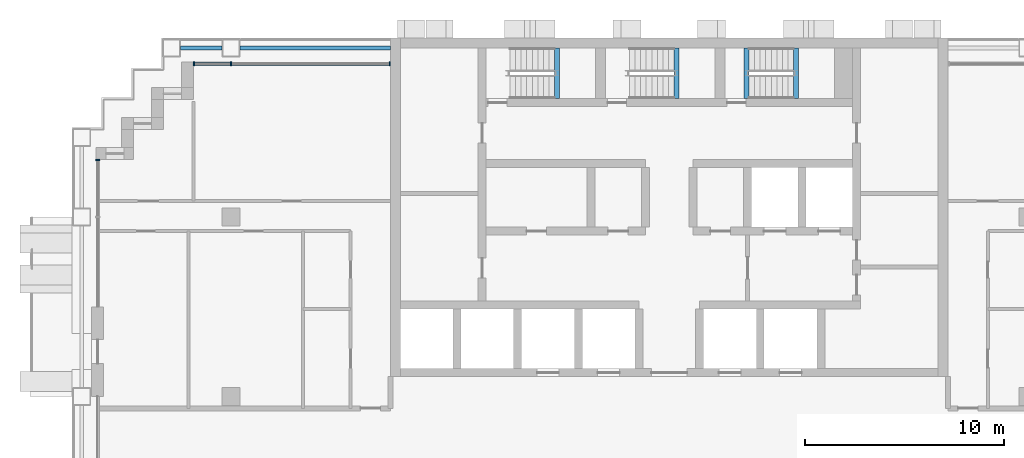
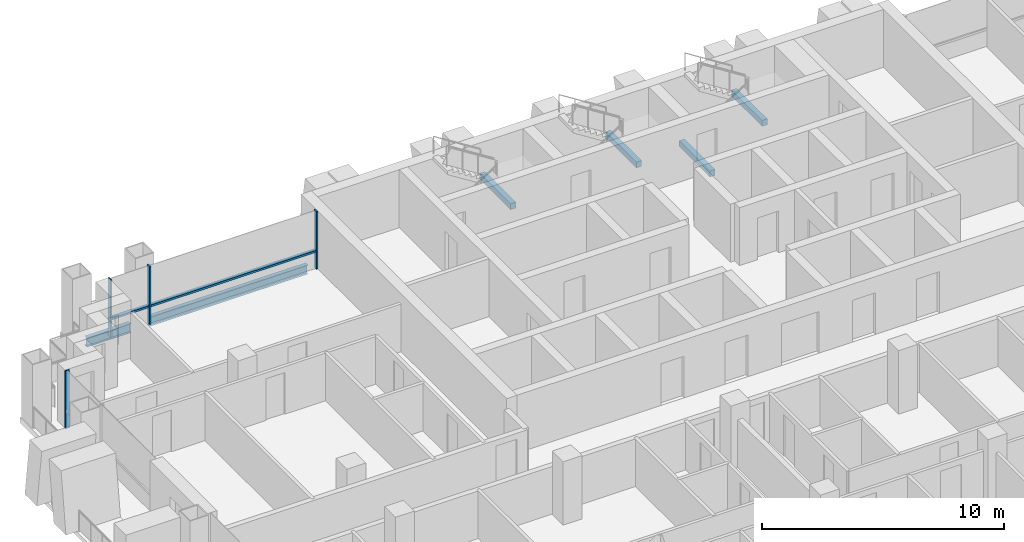
# One storey, part 4 of 18: 6 beams, 6 members, 2 elements without a shape of their own.
"""IFC4 building model written with IfcOpenShell, lengths in metres."""

from ifc_helpers import new_model, si_unit, direction, frame, origin, origin_2d, place, context, subcontext, project, spatial, rectangle, i_section, extrude, material, material_profile, profile_set, type_object, element, aggregate, save


model = new_model("IFC4")

# Units and contexts
model_context = context("Model", 3, precision=1e-05, world=origin(), true_north=direction((0.0, 1.0)))
body_context = subcontext(model_context, "Body", "Model", "MODEL_VIEW")
ifc_project = project(units=[si_unit("LENGTHUNIT", "METRE"), si_unit("AREAUNIT", "SQUARE_METRE"), si_unit("VOLUMEUNIT", "CUBIC_METRE"), si_unit("PLANEANGLEUNIT", "RADIAN"), si_unit("MASSUNIT", "GRAM", prefix="KILO")], contexts=[model_context])

# Site, building, storey
site_placement = place(None, origin())
site = spatial("IfcSite", under=ifc_project, at=site_placement, CompositionType="ELEMENT")
building_placement = place(site_placement, origin())
building = spatial("IfcBuilding", under=site, at=building_placement, Name="Vidyagriha Tower", CompositionType="ELEMENT")
storey_placement = place(building_placement, frame((0.0, 0.0, 80.699951171875)))
storey = spatial("IfcBuildingStorey", under=building, at=storey_placement, Name="L20", CompositionType="ELEMENT", Elevation=80.699951171875)

# Beams
ifc_material_1 = material(Name="Steel ASTM A992 Grade 50", Category="steel")
ifc_material_profile_1 = material_profile(ifc_material_1, i_section(OverallWidth=0.19189453125, OverallDepth=0.46240234375, WebThickness=0.010498046875, FlangeThickness=0.017578125, at=origin_2d()), Name="W18X60")
ifc_profile_set_1 = profile_set([ifc_material_profile_1], Name="Steel ASTM A992 Grade 50")
beam_type_1 = type_object("IfcBeamType", Name="Edge beam W18X60", PredefinedType="SPANDREL", material=ifc_profile_set_1)
beam_1_placement = place(storey_placement, frame((-24.550048828125, 19.5, -0.510986328125), z_axis=(1.0, 0.0, 0.0), x_axis=(0.0, 1.0, 0.0)))
element("IfcBeam", 1, at=beam_1_placement, inside=storey, type_object=beam_type_1, Name="st-beam-L20-NW20", PredefinedType="SPANDREL", context=body_context, shape_type="SweptSolid", body=[
    extrude(i_section(OverallWidth=0.19189453125, OverallDepth=0.46240234375, WebThickness=0.010498046875, FlangeThickness=0.017578125, at=origin_2d()), origin(), (0.0, 0.0, 1.0), 2.10009765625),
])
beam_2_placement = place(storey_placement, frame((-21.550048828125, 19.5, -0.510986328125), z_axis=(1.0, 0.0, 0.0), x_axis=(0.0, 1.0, 0.0)))
element("IfcBeam", 2, at=beam_2_placement, inside=storey, type_object=beam_type_1, Name="st-beam-L20-NC24", PredefinedType="SPANDREL", context=body_context, shape_type="SweptSolid", body=[
    extrude(i_section(OverallWidth=0.19189453125, OverallDepth=0.46240234375, WebThickness=0.010498046875, FlangeThickness=0.017578125, at=origin_2d()), origin(), (0.0, 0.0, 1.0), 7.550048828125),
])

# Curtain wall, members
ifc_material_2 = material(Name="Aluminium and glass curtain wall", Category="aluminium")
curtain_wall_type = type_object("IfcCurtainWallType", Name="Dwelling skin unitised curtain wall", PredefinedType="USERDEFINED", material=ifc_material_2)
curtain_wall_1_placement = place(storey_placement, origin())
curtain_wall_1 = element("IfcCurtainWall", 3, at=curtain_wall_1_placement, inside=storey, type_object=curtain_wall_type, Name="CW1 dwelling skin", ObjectType="UNITISED", PredefinedType="USERDEFINED")
ifc_material_3 = material(Name="Aluminium black anodised", Category="aluminium")
ifc_material_profile_2 = material_profile(ifc_material_3, rectangle(XDim=0.199951171875, YDim=0.070068359375, at=origin_2d()), Name="Mullion 70x200 black aluminium")
ifc_profile_set_2 = profile_set([ifc_material_profile_2], Name="Aluminium black anodised")
member_type_1 = type_object("IfcMemberType", Name="Mullion 70x200 black aluminium", PredefinedType="MULLION", material=ifc_profile_set_2)
member_1_placement = place(storey_placement, frame((-14.034912109375, 18.699951171875, 0.0), z_axis=(0.0, 0.0, 1.0), x_axis=(0.0, -1.0, 0.0)))
member_1 = element("IfcMember", 4, at=member_1_placement, type_object=member_type_1, Name="CW1 mullion 1", PredefinedType="MULLION", context=body_context, shape_type="SweptSolid", body=[
    extrude(rectangle(XDim=0.199951171875, YDim=0.070068359375, at=origin_2d()), origin(), (0.0, 0.0, 1.0), 2.920166015625),
])
member_2_placement = place(storey_placement, frame((-22.0, 18.699951171875, 0.0), z_axis=(0.0, 0.0, 1.0), x_axis=(0.0, -1.0, 0.0)))
member_2 = element("IfcMember", 5, at=member_2_placement, type_object=member_type_1, Name="CW1 mullion 2", PredefinedType="MULLION", context=body_context, shape_type="SweptSolid", body=[
    extrude(rectangle(XDim=0.199951171875, YDim=0.070068359375, at=origin_2d()), origin(), (0.0, 0.0, 1.0), 2.920166015625),
])
member_3_placement = place(storey_placement, frame((-23.864990234375, 18.699951171875, 0.0), z_axis=(0.0, 0.0, 1.0), x_axis=(0.0, -1.0, 0.0)))
member_3 = element("IfcMember", 6, at=member_3_placement, type_object=member_type_1, Name="CW1 mullion 3", PredefinedType="MULLION", context=body_context, shape_type="SweptSolid", body=[
    extrude(rectangle(XDim=0.199951171875, YDim=0.070068359375, at=origin_2d()), origin(), (0.0, 0.0, 1.0), 2.920166015625),
])

# Curtain wall, member
curtain_wall_2_placement = place(storey_placement, origin())
curtain_wall_2 = element("IfcCurtainWall", 7, at=curtain_wall_2_placement, inside=storey, type_object=curtain_wall_type, Name="CW1 dwelling skin", ObjectType="UNITISED", PredefinedType="USERDEFINED")
member_4_placement = place(storey_placement, frame((-28.699951171875, 13.864990234375, 0.0)))
member_4 = element("IfcMember", 8, at=member_4_placement, type_object=member_type_1, Name="CW1 mullion 1", PredefinedType="MULLION", context=body_context, shape_type="SweptSolid", body=[
    extrude(rectangle(XDim=0.199951171875, YDim=0.070068359375, at=origin_2d()), origin(), (0.0, 0.0, 1.0), 2.920166015625),
])
aggregate(curtain_wall_2, [member_4])

# Beams
ifc_material_4 = material(Name="Concrete C40/50", Category="concrete")
ifc_material_profile_3 = material_profile(ifc_material_4, rectangle(XDim=0.25, YDim=0.300048828125, at=origin_2d()), Name="Stair landing bearing beam 250x300")
ifc_profile_set_3 = profile_set([ifc_material_profile_3], Name="Concrete C40/50")
beam_type_2 = type_object("IfcBeamType", Name="Stair landing bearing beam 250x300", PredefinedType="BEAM", material=ifc_profile_set_3)
for number, where, z_axis, x_axis, name in (
    (9, (3.875, 16.949951171875, -0.429931640625), (0.0, 1.0, 0.0), (-1.0, 0.0, 0.0), "ST3 floor landing bearing beam L20"),
    (10, (-5.635009765625, 16.949951171875, 1.25), (0.0, 1.0, 0.0), (-1.0, 0.0, 0.0), "ST1 landing bearing beam L20"),
    (11, (0.364990234375, 16.949951171875, 1.25), (0.0, 1.0, 0.0), (-1.0, 0.0, 0.0), "ST2 landing bearing beam L20"),
    (12, (6.364990234375, 16.949951171875, 1.25), (0.0, 1.0, 0.0), (-1.0, 0.0, 0.0), "ST3 landing bearing beam L20"),
):
    element("IfcBeam", number, at=place(storey_placement, frame(where, z_axis=z_axis, x_axis=x_axis)), inside=storey, type_object=beam_type_2, Name=name, PredefinedType="BEAM", context=body_context, shape_type="SweptSolid", body=[
        extrude(rectangle(XDim=0.25, YDim=0.300048828125, at=origin_2d()), origin(), (0.0, 0.0, 1.0), 2.550048828125),
    ])

# Member
ifc_material_5 = material(Name="Aluminium black anodised", Category="aluminium")
ifc_material_profile_4 = material_profile(ifc_material_5, rectangle(XDim=0.159912109375, YDim=0.10009765625, at=origin_2d()), Name="Transom 100x160 black aluminium")
ifc_profile_set_4 = profile_set([ifc_material_profile_4], Name="Aluminium black anodised")
member_type_2 = type_object("IfcMemberType", Name="Transom 100x160 black aluminium", PredefinedType="USERDEFINED", material=ifc_profile_set_4)
member_5_placement = place(storey_placement, frame((-14.070068359375, 18.699951171875, 0.900146484375), z_axis=(-1.0, 0.0, 0.0), x_axis=(0.0, -1.0, 0.0)))
member_5 = element("IfcMember", 13, at=member_5_placement, type_object=member_type_2, Name="CW1 transom 1.1", ObjectType="TRANSOM", PredefinedType="USERDEFINED", context=body_context, shape_type="SweptSolid", body=[
    extrude(rectangle(XDim=0.159912109375, YDim=0.10009765625, at=origin_2d()), origin(), (0.0, 0.0, 1.0), 7.89501953125),
])

member_6_placement = place(storey_placement, frame((-22.034912109375, 18.699951171875, 0.900146484375), z_axis=(-1.0, 0.0, 0.0), x_axis=(0.0, -1.0, 0.0)))
member_6 = element("IfcMember", 14, at=member_6_placement, type_object=member_type_2, Name="CW1 transom 2.1", ObjectType="TRANSOM", PredefinedType="USERDEFINED", context=body_context, shape_type="SweptSolid", body=[
    extrude(rectangle(XDim=0.159912109375, YDim=0.10009765625, at=origin_2d()), origin(), (0.0, 0.0, 1.0), 1.795166015625),
])

aggregate(curtain_wall_1, [member_1, member_2, member_3, member_5, member_6])

save(model, "model.ifc")
